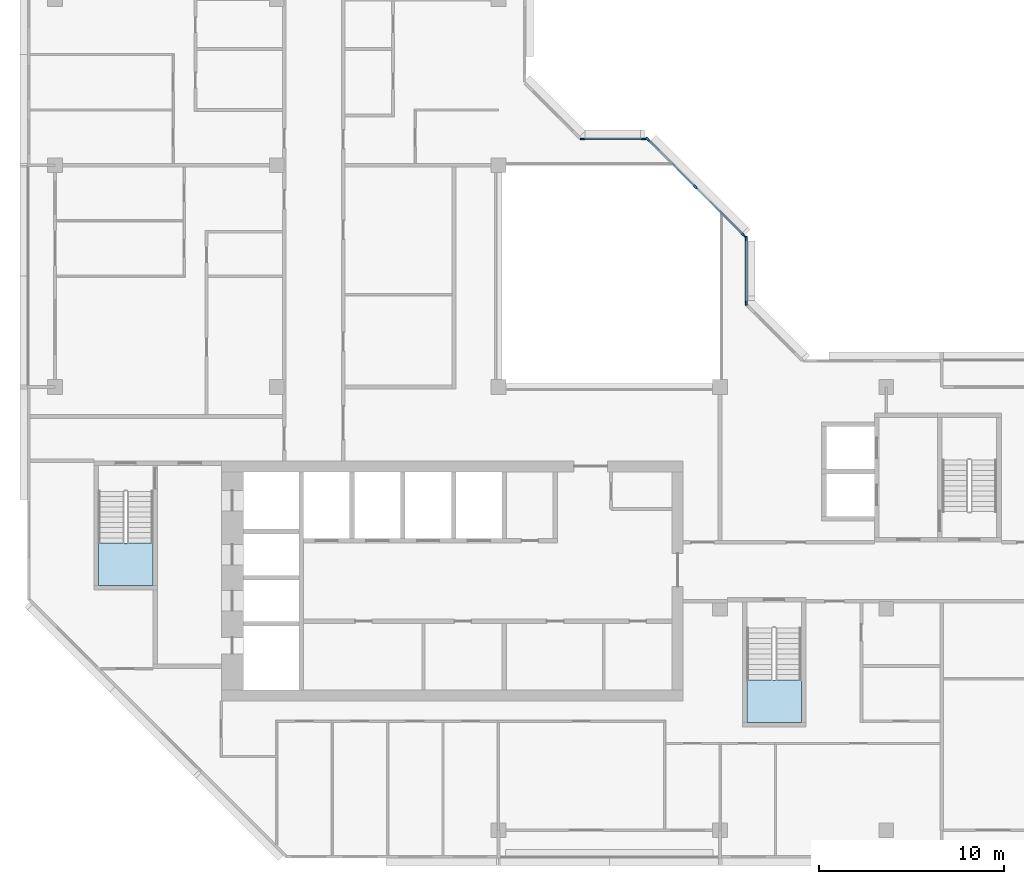
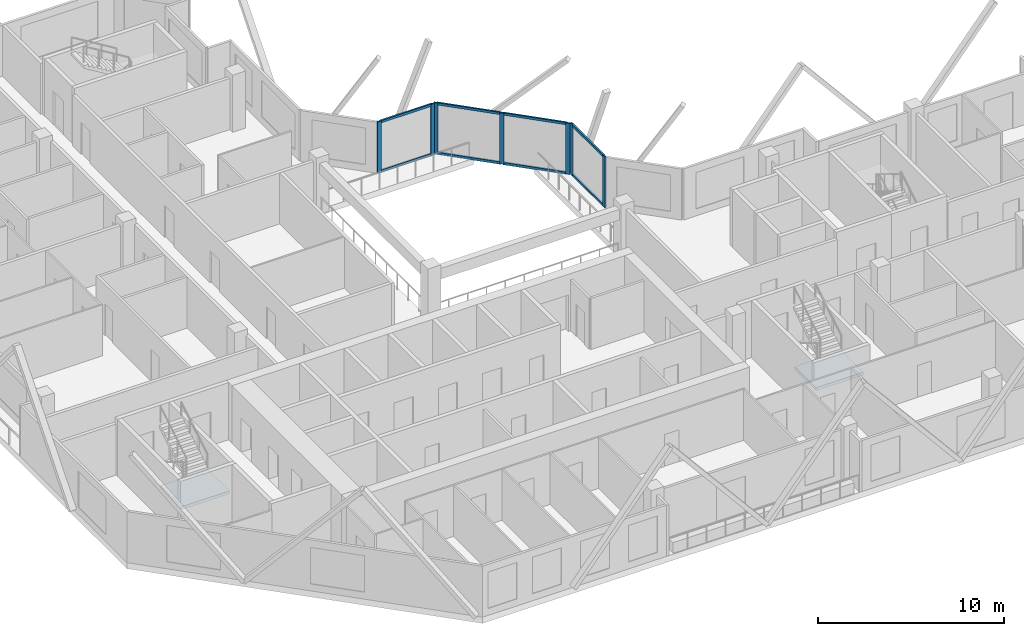
# One storey, part 2 of 13: 15 members, 2 slabs, 5 elements without a shape of their own.
"""IFC4 building model written with IfcOpenShell, lengths in metres."""

from ifc_helpers import new_model, si_unit, direction, frame, origin, origin_2d, place, context, subcontext, project, spatial, polyline, rectangle, outline, extrude, material, layer, layer_set, material_profile, profile_set, type_object, element, aggregate, save


model = new_model("IFC4")

# Units and contexts
model_context = context("Model", 3, precision=1e-05, world=origin(), true_north=direction((0.0, 1.0)))
body_context = subcontext(model_context, "Body", "Model", "MODEL_VIEW")
ifc_project = project(units=[si_unit("LENGTHUNIT", "METRE"), si_unit("AREAUNIT", "SQUARE_METRE"), si_unit("VOLUMEUNIT", "CUBIC_METRE"), si_unit("PLANEANGLEUNIT", "RADIAN"), si_unit("MASSUNIT", "GRAM", prefix="KILO")], contexts=[model_context])

# Site, building, storey
site_placement = place(None, origin())
site = spatial("IfcSite", under=ifc_project, at=site_placement, CompositionType="ELEMENT")
building_placement = place(site_placement, origin())
building = spatial("IfcBuilding", under=site, at=building_placement, Name="Chenar Terraces", CompositionType="ELEMENT")
storey_placement = place(building_placement, frame((0.0, 0.0, 273.39990234375)))
storey = spatial("IfcBuildingStorey", under=building, at=storey_placement, Name="L63", CompositionType="ELEMENT", Elevation=273.39990234375)

# Curtain wall, members
ifc_material_1 = material(Name="Aluminium framed glazing", Category="aluminium")
ifc_layer_1 = layer(ifc_material_1, 0.14990234375)
ifc_layer_set_1 = layer_set([ifc_layer_1], Name="Aluminium framed glazing")
curtain_wall_type = type_object("IfcCurtainWallType", Name="Atrium upper-zone curtain wall", PredefinedType="NOTDEFINED", material=ifc_layer_set_1)
placement_1 = place(storey_placement, origin())
curtain_wall_1 = element("IfcCurtainWall", 1, at=placement_1, inside=storey, type_object=curtain_wall_type, Name="Atrium upper-zone curtain wall", PredefinedType="NOTDEFINED")
ifc_material_2 = material(Name="Aluminium", Category="aluminium")
ifc_material_profile_1 = material_profile(ifc_material_2, rectangle(XDim=0.10009765625, YDim=0.239990234375, at=origin_2d()), Name="Atrium upper-zone glazing mullion 100 x 240")
ifc_profile_set_1 = profile_set([ifc_material_profile_1], Name="Aluminium")
member_type_1 = type_object("IfcMemberType", Name="Atrium upper-zone glazing mullion 100 x 240", PredefinedType="MULLION", material=ifc_profile_set_1)
member_1_placement = place(storey_placement, frame((37.425048828125, 28.550048828125, 0.0), z_axis=(0.0, 0.0, 1.0), x_axis=(-1.0, 0.0, 0.0)))
member_1 = element("IfcMember", 2, at=member_1_placement, type_object=member_type_1, Name="CW8-1 mullion 1", PredefinedType="MULLION", context=body_context, shape_type="SweptSolid", body=[
    extrude(rectangle(XDim=0.10009765625, YDim=0.239990234375, at=origin_2d()), origin(), (0.0, 0.0, 1.0), 3.35009765625),
])
member_2_placement = place(storey_placement, frame((37.425048828125, 32.050048828125, 0.0), z_axis=(0.0, 0.0, 1.0), x_axis=(-1.0, 0.0, 0.0)))
member_2 = element("IfcMember", 3, at=member_2_placement, type_object=member_type_1, Name="CW8-1 mullion 2", PredefinedType="MULLION", context=body_context, shape_type="SweptSolid", body=[
    extrude(rectangle(XDim=0.10009765625, YDim=0.239990234375, at=origin_2d()), origin(), (0.0, 0.0, 1.0), 3.35009765625),
])

curtain_wall_2 = element("IfcCurtainWall", 4, at=placement_1, inside=storey, type_object=curtain_wall_type, Name="Atrium upper-zone curtain wall", PredefinedType="NOTDEFINED")
member_3_placement = place(storey_placement, frame((37.270263671875, 32.2236328125, 0.0), z_axis=(0.0, 0.0, 1.0), x_axis=(-0.707106781187, -0.707106781187, 0.0)))
member_3 = element("IfcMember", 5, at=member_3_placement, type_object=member_type_1, Name="CW8-2 mullion 1", PredefinedType="MULLION", context=body_context, shape_type="SweptSolid", body=[
    extrude(rectangle(XDim=0.10009765625, YDim=0.239990234375, at=origin_2d()), origin(), (0.0, 0.0, 1.0), 3.35009765625),
])
member_4_placement = place(storey_placement, frame((34.67626953125, 34.817626953125, 0.0), z_axis=(0.0, 0.0, 1.0), x_axis=(-0.707106781187, -0.707106781187, 0.0)))
member_4 = element("IfcMember", 6, at=member_4_placement, type_object=member_type_1, Name="CW8-2 mullion 2", PredefinedType="MULLION", context=body_context, shape_type="SweptSolid", body=[
    extrude(rectangle(XDim=0.10009765625, YDim=0.239990234375, at=origin_2d()), origin(), (0.0, 0.0, 1.0), 3.35009765625),
])
member_5_placement = place(storey_placement, frame((32.082275390625, 37.41162109375, 0.0), z_axis=(0.0, 0.0, 1.0), x_axis=(-0.707106781187, -0.707106781187, 0.0)))
member_5 = element("IfcMember", 7, at=member_5_placement, type_object=member_type_1, Name="CW8-2 mullion 3", PredefinedType="MULLION", context=body_context, shape_type="SweptSolid", body=[
    extrude(rectangle(XDim=0.10009765625, YDim=0.239990234375, at=origin_2d()), origin(), (0.0, 0.0, 1.0), 3.35009765625),
])

curtain_wall_3 = element("IfcCurtainWall", 8, at=placement_1, inside=storey, type_object=curtain_wall_type, Name="Atrium upper-zone curtain wall", PredefinedType="NOTDEFINED")
member_6_placement = place(storey_placement, frame((31.85009765625, 37.425048828125, 0.0), z_axis=(0.0, 0.0, 1.0), x_axis=(0.0, -1.0, 0.0)))
member_6 = element("IfcMember", 9, at=member_6_placement, type_object=member_type_1, Name="CW8-3 mullion 1", PredefinedType="MULLION", context=body_context, shape_type="SweptSolid", body=[
    extrude(rectangle(XDim=0.10009765625, YDim=0.239990234375, at=origin_2d()), origin(), (0.0, 0.0, 1.0), 3.35009765625),
])
member_7_placement = place(storey_placement, frame((28.550048828125, 37.425048828125, 0.0), z_axis=(0.0, 0.0, 1.0), x_axis=(0.0, -1.0, 0.0)))
member_7 = element("IfcMember", 10, at=member_7_placement, type_object=member_type_1, Name="CW8-3 mullion 2", PredefinedType="MULLION", context=body_context, shape_type="SweptSolid", body=[
    extrude(rectangle(XDim=0.10009765625, YDim=0.239990234375, at=origin_2d()), origin(), (0.0, 0.0, 1.0), 3.35009765625),
])

# Member
ifc_material_3 = material(Name="Aluminium", Category="aluminium")
ifc_material_profile_2 = material_profile(ifc_material_3, rectangle(XDim=0.10009765625, YDim=0.159912109375, at=origin_2d()), Name="Atrium upper-zone glazing transom 100 x 160")
ifc_profile_set_2 = profile_set([ifc_material_profile_2], Name="Aluminium")
member_type_2 = type_object("IfcMemberType", Name="Atrium upper-zone glazing transom 100 x 160", PredefinedType="USERDEFINED", material=ifc_profile_set_2)
member_8_placement = place(storey_placement, frame((37.425048828125, 28.60009765625, 0.050048828125), z_axis=(0.0, 1.0, 0.0), x_axis=(-1.0, 0.0, 0.0)))
member_8 = element("IfcMember", 11, at=member_8_placement, type_object=member_type_2, Name="CW8-1 transom 1.1", ObjectType="TRANSOM", PredefinedType="USERDEFINED", context=body_context, shape_type="SweptSolid", body=[
    extrude(rectangle(XDim=0.10009765625, YDim=0.159912109375, at=origin_2d()), origin(), (0.0, 0.0, 1.0), 3.39990234375),
])

member_9_placement = place(storey_placement, frame((37.425048828125, 28.60009765625, 3.300048828125), z_axis=(0.0, 1.0, 0.0), x_axis=(-1.0, 0.0, 0.0)))
member_9 = element("IfcMember", 12, at=member_9_placement, type_object=member_type_2, Name="CW8-1 transom 1.2", ObjectType="TRANSOM", PredefinedType="USERDEFINED", context=body_context, shape_type="SweptSolid", body=[
    extrude(rectangle(XDim=0.10009765625, YDim=0.159912109375, at=origin_2d()), origin(), (0.0, 0.0, 1.0), 3.39990234375),
])

aggregate(curtain_wall_1, [member_1, member_2, member_8, member_9])

member_10_placement = place(storey_placement, frame((37.23486328125, 32.259033203125, 0.050048828125), z_axis=(-0.707106781187, 0.707106781187, 0.0), x_axis=(-0.707106781187, -0.707106781187, 0.0)))
member_10 = element("IfcMember", 13, at=member_10_placement, type_object=member_type_2, Name="CW8-2 transom 1.1", ObjectType="TRANSOM", PredefinedType="USERDEFINED", context=body_context, shape_type="SweptSolid", body=[
    extrude(rectangle(XDim=0.10009765625, YDim=0.159912109375, at=origin_2d()), origin(), (0.0, 0.0, 1.0), 3.568359375),
])

member_11_placement = place(storey_placement, frame((37.23486328125, 32.259033203125, 3.300048828125), z_axis=(-0.707106781187, 0.707106781187, 0.0), x_axis=(-0.707106781187, -0.707106781187, 0.0)))
member_11 = element("IfcMember", 14, at=member_11_placement, type_object=member_type_2, Name="CW8-2 transom 1.2", ObjectType="TRANSOM", PredefinedType="USERDEFINED", context=body_context, shape_type="SweptSolid", body=[
    extrude(rectangle(XDim=0.10009765625, YDim=0.159912109375, at=origin_2d()), origin(), (0.0, 0.0, 1.0), 3.568359375),
])

member_12_placement = place(storey_placement, frame((34.640869140625, 34.85302734375, 0.050048828125), z_axis=(-0.707106781187, 0.707106781187, 0.0), x_axis=(-0.707106781187, -0.707106781187, 0.0)))
member_12 = element("IfcMember", 15, at=member_12_placement, type_object=member_type_2, Name="CW8-2 transom 2.1", ObjectType="TRANSOM", PredefinedType="USERDEFINED", context=body_context, shape_type="SweptSolid", body=[
    extrude(rectangle(XDim=0.10009765625, YDim=0.159912109375, at=origin_2d()), origin(), (0.0, 0.0, 1.0), 3.568359375),
])

member_13_placement = place(storey_placement, frame((34.640869140625, 34.85302734375, 3.300048828125), z_axis=(-0.707106781187, 0.707106781187, 0.0), x_axis=(-0.707106781187, -0.707106781187, 0.0)))
member_13 = element("IfcMember", 16, at=member_13_placement, type_object=member_type_2, Name="CW8-2 transom 2.2", ObjectType="TRANSOM", PredefinedType="USERDEFINED", context=body_context, shape_type="SweptSolid", body=[
    extrude(rectangle(XDim=0.10009765625, YDim=0.159912109375, at=origin_2d()), origin(), (0.0, 0.0, 1.0), 3.568359375),
])

aggregate(curtain_wall_2, [member_3, member_4, member_5, member_10, member_11, member_12, member_13])

member_14_placement = place(storey_placement, frame((31.800048828125, 37.425048828125, 0.050048828125), z_axis=(-1.0, 0.0, 0.0), x_axis=(0.0, -1.0, 0.0)))
member_14 = element("IfcMember", 17, at=member_14_placement, type_object=member_type_2, Name="CW8-3 transom 1.1", ObjectType="TRANSOM", PredefinedType="USERDEFINED", context=body_context, shape_type="SweptSolid", body=[
    extrude(rectangle(XDim=0.10009765625, YDim=0.159912109375, at=origin_2d()), origin(), (0.0, 0.0, 1.0), 3.199951171875),
])

member_15_placement = place(storey_placement, frame((31.800048828125, 37.425048828125, 3.300048828125), z_axis=(-1.0, 0.0, 0.0), x_axis=(0.0, -1.0, 0.0)))
member_15 = element("IfcMember", 18, at=member_15_placement, type_object=member_type_2, Name="CW8-3 transom 1.2", ObjectType="TRANSOM", PredefinedType="USERDEFINED", context=body_context, shape_type="SweptSolid", body=[
    extrude(rectangle(XDim=0.10009765625, YDim=0.159912109375, at=origin_2d()), origin(), (0.0, 0.0, 1.0), 3.199951171875),
])

aggregate(curtain_wall_3, [member_6, member_7, member_14, member_15])

# Stair, slab
ifc_material_4 = material(Name="Reinforced concrete C40/50", Category="concrete")
stair_type = type_object("IfcStairType", Name="Core stair 1400 half-turn", PredefinedType="HALF_TURN_STAIR", material=ifc_material_4)
stair_1 = element("IfcStair", 19, at=placement_1, inside=storey, type_object=stair_type, Name="L63 Stair 1", PredefinedType="HALF_TURN_STAIR")
ifc_material_5 = material(Name="Reinforced concrete C40/50", Category="concrete")
ifc_layer_2 = layer(ifc_material_5, 0.199951171875)
ifc_layer_set_2 = layer_set([ifc_layer_2], Name="Reinforced concrete C40/50")
slab_type = type_object("IfcSlabType", Name="Core stair landing 200", PredefinedType="LANDING", material=ifc_layer_set_2)
placement_2 = place(storey_placement, frame((0.0, 0.0, 1.675048828125)))
slab_1 = element("IfcSlab", 20, at=placement_2, type_object=slab_type, Name="ST1 landing 1", PredefinedType="LANDING", context=body_context, shape_type="SweptSolid", body=[
    extrude(outline(polyline([(2.35009765625, 15.550048828125), (2.35009765625, 13.25), (5.300048828125, 13.25), (5.300048828125, 15.550048828125), (2.35009765625, 15.550048828125)])), origin(), (0.0, 0.0, 1.0), 0.199951171875),
])
aggregate(stair_1, [slab_1])

stair_2 = element("IfcStair", 21, at=placement_1, inside=storey, type_object=stair_type, Name="L63 Stair 2", PredefinedType="HALF_TURN_STAIR")
slab_2 = element("IfcSlab", 22, at=placement_2, type_object=slab_type, Name="ST2 landing 1", PredefinedType="LANDING", context=body_context, shape_type="SweptSolid", body=[
    extrude(outline(polyline([(37.449951171875, 8.14990234375), (37.449951171875, 5.85009765625), (40.39990234375, 5.85009765625), (40.39990234375, 8.14990234375), (37.449951171875, 8.14990234375)])), origin(), (0.0, 0.0, 1.0), 0.199951171875),
])
aggregate(stair_2, [slab_2])

save(model, "model.ifc")
